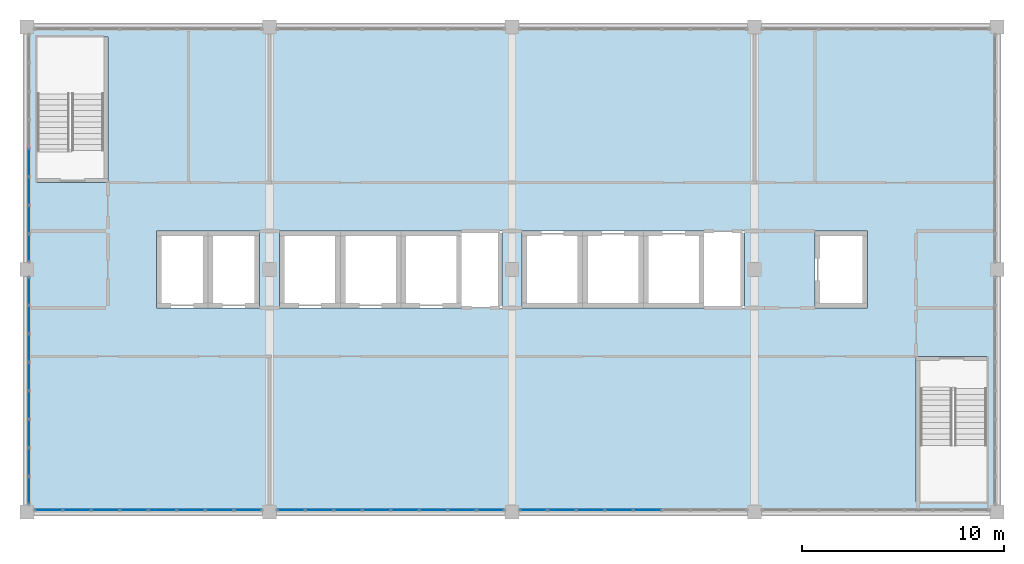
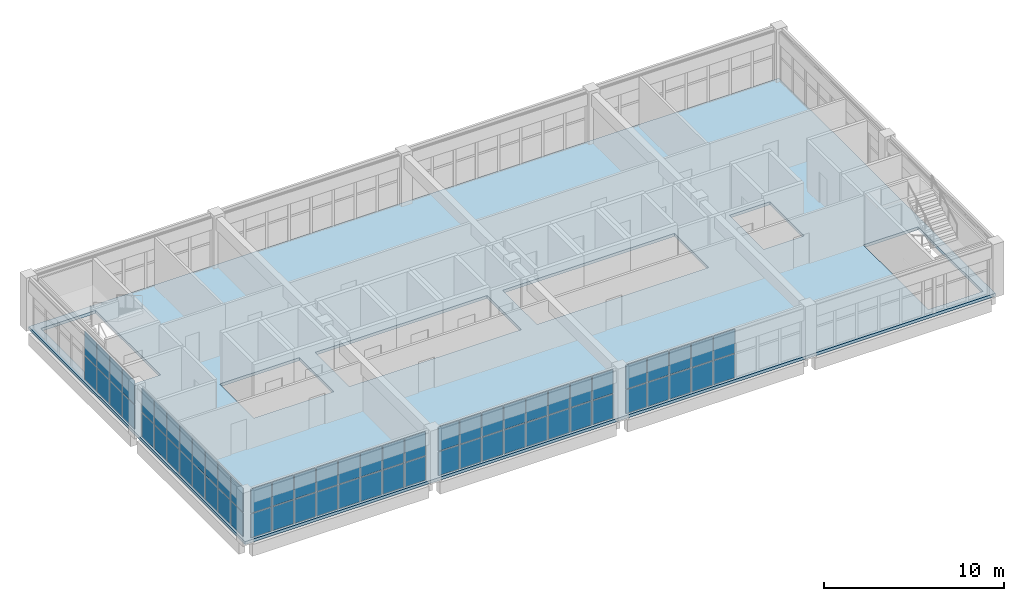
# One storey, part 10 of 16: 66 plates, 1 slab, 5 elements without a shape of their own.
"""IFC4 building model written with IfcOpenShell, lengths in metres."""

from ifc_helpers import new_model, si_unit, direction, frame, origin, origin_2d, place, context, subcontext, project, spatial, polyline, rectangle, outline, extrude, material, layer, layer_set, type_object, element, aggregate, save


model = new_model("IFC4")

# Units and contexts
model_context = context("Model", 3, precision=1e-05, world=origin(), true_north=direction((0.0, 1.0)))
body_context = subcontext(model_context, "Body", "Model", "MODEL_VIEW")
ifc_project = project(units=[si_unit("LENGTHUNIT", "METRE"), si_unit("AREAUNIT", "SQUARE_METRE"), si_unit("VOLUMEUNIT", "CUBIC_METRE"), si_unit("PLANEANGLEUNIT", "RADIAN"), si_unit("MASSUNIT", "GRAM", prefix="KILO")], contexts=[model_context])

# Site, building, storey
site_placement = place(None, origin())
site = spatial("IfcSite", under=ifc_project, at=site_placement, CompositionType="ELEMENT")
building_placement = place(site_placement, origin())
building = spatial("IfcBuilding", under=site, at=building_placement, Name="Lilac Gate Convention Centre", CompositionType="ELEMENT")
storey_placement = place(building_placement, frame((0.0, 0.0, 67.800048828125)))
storey = spatial("IfcBuildingStorey", under=building, at=storey_placement, Name="L17", CompositionType="ELEMENT", Elevation=67.800048828125)

# Curtain wall, plates
ifc_material_1 = material(Name="Aluminium framed double glazing", Category="aluminium")
ifc_layer_1 = layer(ifc_material_1, 0.199951171875)
ifc_layer_set_1 = layer_set([ifc_layer_1], Name="Aluminium framed double glazing")
curtain_wall_type = type_object("IfcCurtainWallType", Name="Unitised curtain wall 1500", PredefinedType="NOTDEFINED", material=ifc_layer_set_1)
curtain_wall_1_placement = place(storey_placement, origin())
curtain_wall_1 = element("IfcCurtainWall", 1, at=curtain_wall_1_placement, inside=storey, type_object=curtain_wall_type, Name="Curtain wall S L17 1", PredefinedType="NOTDEFINED")
ifc_material_2 = material(Name="Double glazed unit low emissivity")
ifc_layer_2 = layer(ifc_material_2, 0.028076171875)
ifc_layer_set_2 = layer_set([ifc_layer_2], Name="Double glazed unit low emissivity")
plate_type_1 = type_object("IfcPlateType", Name="Curtain wall glass panel 28", PredefinedType="CURTAIN_PANEL", material=ifc_layer_set_2)
plate_1_placement = place(storey_placement, frame((43.0712890625, 222.10009765625, 1.72998046875), z_axis=(0.0, 0.0, 1.0), x_axis=(1.0, 0.0, 0.0)))
plate_1 = element("IfcPlate", 2, at=plate_1_placement, type_object=plate_type_1, Name="CW panel 1.2", PredefinedType="CURTAIN_PANEL", context=body_context, shape_type="SweptSolid", body=[
    extrude(rectangle(XDim=1.322509765625, YDim=0.028076171875, at=origin_2d()), origin(), (0.0, 0.0, 1.0), 1.60986328125),
])
plate_2_placement = place(storey_placement, frame((44.46875, 222.10009765625, 1.72998046875), z_axis=(0.0, 0.0, 1.0), x_axis=(1.0, 0.0, 0.0)))
plate_2 = element("IfcPlate", 3, at=plate_2_placement, type_object=plate_type_1, Name="CW panel 2.2", PredefinedType="CURTAIN_PANEL", context=body_context, shape_type="SweptSolid", body=[
    extrude(rectangle(XDim=1.3525390625, YDim=0.028076171875, at=origin_2d()), origin(), (0.0, 0.0, 1.0), 1.60986328125),
])
plate_3_placement = place(storey_placement, frame((45.88134765625, 222.10009765625, 1.72998046875), z_axis=(0.0, 0.0, 1.0), x_axis=(1.0, 0.0, 0.0)))
plate_3 = element("IfcPlate", 4, at=plate_3_placement, type_object=plate_type_1, Name="CW panel 3.2", PredefinedType="CURTAIN_PANEL", context=body_context, shape_type="SweptSolid", body=[
    extrude(rectangle(XDim=1.3525390625, YDim=0.028076171875, at=origin_2d()), origin(), (0.0, 0.0, 1.0), 1.60986328125),
])
plate_4_placement = place(storey_placement, frame((47.293701171875, 222.10009765625, 1.72998046875), z_axis=(0.0, 0.0, 1.0), x_axis=(1.0, 0.0, 0.0)))
plate_4 = element("IfcPlate", 5, at=plate_4_placement, type_object=plate_type_1, Name="CW panel 4.2", PredefinedType="CURTAIN_PANEL", context=body_context, shape_type="SweptSolid", body=[
    extrude(rectangle(XDim=1.3525390625, YDim=0.028076171875, at=origin_2d()), origin(), (0.0, 0.0, 1.0), 1.60986328125),
])
plate_5_placement = place(storey_placement, frame((48.706298828125, 222.10009765625, 1.72998046875), z_axis=(0.0, 0.0, 1.0), x_axis=(1.0, 0.0, 0.0)))
plate_5 = element("IfcPlate", 6, at=plate_5_placement, type_object=plate_type_1, Name="CW panel 5.2", PredefinedType="CURTAIN_PANEL", context=body_context, shape_type="SweptSolid", body=[
    extrude(rectangle(XDim=1.3525390625, YDim=0.028076171875, at=origin_2d()), origin(), (0.0, 0.0, 1.0), 1.60986328125),
])
plate_6_placement = place(storey_placement, frame((50.11865234375, 222.10009765625, 1.72998046875), z_axis=(0.0, 0.0, 1.0), x_axis=(1.0, 0.0, 0.0)))
plate_6 = element("IfcPlate", 7, at=plate_6_placement, type_object=plate_type_1, Name="CW panel 6.2", PredefinedType="CURTAIN_PANEL", context=body_context, shape_type="SweptSolid", body=[
    extrude(rectangle(XDim=1.3525390625, YDim=0.028076171875, at=origin_2d()), origin(), (0.0, 0.0, 1.0), 1.60986328125),
])
plate_7_placement = place(storey_placement, frame((51.53125, 222.10009765625, 1.72998046875), z_axis=(0.0, 0.0, 1.0), x_axis=(1.0, 0.0, 0.0)))
plate_7 = element("IfcPlate", 8, at=plate_7_placement, type_object=plate_type_1, Name="CW panel 7.2", PredefinedType="CURTAIN_PANEL", context=body_context, shape_type="SweptSolid", body=[
    extrude(rectangle(XDim=1.3525390625, YDim=0.028076171875, at=origin_2d()), origin(), (0.0, 0.0, 1.0), 1.60986328125),
])
plate_8_placement = place(storey_placement, frame((52.9287109375, 222.10009765625, 1.72998046875), z_axis=(0.0, 0.0, 1.0), x_axis=(1.0, 0.0, 0.0)))
plate_8 = element("IfcPlate", 9, at=plate_8_placement, type_object=plate_type_1, Name="CW panel 8.2", PredefinedType="CURTAIN_PANEL", context=body_context, shape_type="SweptSolid", body=[
    extrude(rectangle(XDim=1.322509765625, YDim=0.028076171875, at=origin_2d()), origin(), (0.0, 0.0, 1.0), 1.60986328125),
])

curtain_wall_2_placement = place(storey_placement, origin())
curtain_wall_2 = element("IfcCurtainWall", 10, at=curtain_wall_2_placement, inside=storey, type_object=curtain_wall_type, Name="Curtain wall S L17 2", PredefinedType="NOTDEFINED")
plate_9_placement = place(storey_placement, frame((55.0712890625, 222.10009765625, 1.72998046875), z_axis=(0.0, 0.0, 1.0), x_axis=(1.0, 0.0, 0.0)))
plate_9 = element("IfcPlate", 11, at=plate_9_placement, type_object=plate_type_1, Name="CW panel 1.2", PredefinedType="CURTAIN_PANEL", context=body_context, shape_type="SweptSolid", body=[
    extrude(rectangle(XDim=1.322509765625, YDim=0.028076171875, at=origin_2d()), origin(), (0.0, 0.0, 1.0), 1.60986328125),
])
plate_10_placement = place(storey_placement, frame((56.46875, 222.10009765625, 1.72998046875), z_axis=(0.0, 0.0, 1.0), x_axis=(1.0, 0.0, 0.0)))
plate_10 = element("IfcPlate", 12, at=plate_10_placement, type_object=plate_type_1, Name="CW panel 2.2", PredefinedType="CURTAIN_PANEL", context=body_context, shape_type="SweptSolid", body=[
    extrude(rectangle(XDim=1.3525390625, YDim=0.028076171875, at=origin_2d()), origin(), (0.0, 0.0, 1.0), 1.60986328125),
])
plate_11_placement = place(storey_placement, frame((57.88134765625, 222.10009765625, 1.72998046875), z_axis=(0.0, 0.0, 1.0), x_axis=(1.0, 0.0, 0.0)))
plate_11 = element("IfcPlate", 13, at=plate_11_placement, type_object=plate_type_1, Name="CW panel 3.2", PredefinedType="CURTAIN_PANEL", context=body_context, shape_type="SweptSolid", body=[
    extrude(rectangle(XDim=1.3525390625, YDim=0.028076171875, at=origin_2d()), origin(), (0.0, 0.0, 1.0), 1.60986328125),
])
plate_12_placement = place(storey_placement, frame((59.293701171875, 222.10009765625, 1.72998046875), z_axis=(0.0, 0.0, 1.0), x_axis=(1.0, 0.0, 0.0)))
plate_12 = element("IfcPlate", 14, at=plate_12_placement, type_object=plate_type_1, Name="CW panel 4.2", PredefinedType="CURTAIN_PANEL", context=body_context, shape_type="SweptSolid", body=[
    extrude(rectangle(XDim=1.3525390625, YDim=0.028076171875, at=origin_2d()), origin(), (0.0, 0.0, 1.0), 1.60986328125),
])
plate_13_placement = place(storey_placement, frame((60.706298828125, 222.10009765625, 1.72998046875), z_axis=(0.0, 0.0, 1.0), x_axis=(1.0, 0.0, 0.0)))
plate_13 = element("IfcPlate", 15, at=plate_13_placement, type_object=plate_type_1, Name="CW panel 5.2", PredefinedType="CURTAIN_PANEL", context=body_context, shape_type="SweptSolid", body=[
    extrude(rectangle(XDim=1.3525390625, YDim=0.028076171875, at=origin_2d()), origin(), (0.0, 0.0, 1.0), 1.60986328125),
])
plate_14_placement = place(storey_placement, frame((62.11865234375, 222.10009765625, 1.72998046875), z_axis=(0.0, 0.0, 1.0), x_axis=(1.0, 0.0, 0.0)))
plate_14 = element("IfcPlate", 16, at=plate_14_placement, type_object=plate_type_1, Name="CW panel 6.2", PredefinedType="CURTAIN_PANEL", context=body_context, shape_type="SweptSolid", body=[
    extrude(rectangle(XDim=1.3525390625, YDim=0.028076171875, at=origin_2d()), origin(), (0.0, 0.0, 1.0), 1.60986328125),
])
plate_15_placement = place(storey_placement, frame((63.53125, 222.10009765625, 1.72998046875), z_axis=(0.0, 0.0, 1.0), x_axis=(1.0, 0.0, 0.0)))
plate_15 = element("IfcPlate", 17, at=plate_15_placement, type_object=plate_type_1, Name="CW panel 7.2", PredefinedType="CURTAIN_PANEL", context=body_context, shape_type="SweptSolid", body=[
    extrude(rectangle(XDim=1.3525390625, YDim=0.028076171875, at=origin_2d()), origin(), (0.0, 0.0, 1.0), 1.60986328125),
])
plate_16_placement = place(storey_placement, frame((64.9287109375, 222.10009765625, 1.72998046875), z_axis=(0.0, 0.0, 1.0), x_axis=(1.0, 0.0, 0.0)))
plate_16 = element("IfcPlate", 18, at=plate_16_placement, type_object=plate_type_1, Name="CW panel 8.2", PredefinedType="CURTAIN_PANEL", context=body_context, shape_type="SweptSolid", body=[
    extrude(rectangle(XDim=1.322509765625, YDim=0.028076171875, at=origin_2d()), origin(), (0.0, 0.0, 1.0), 1.60986328125),
])

curtain_wall_3_placement = place(storey_placement, origin())
curtain_wall_3 = element("IfcCurtainWall", 19, at=curtain_wall_3_placement, inside=storey, type_object=curtain_wall_type, Name="Curtain wall S L17 3", PredefinedType="NOTDEFINED")
plate_17_placement = place(storey_placement, frame((67.0712890625, 222.10009765625, 1.72998046875), z_axis=(0.0, 0.0, 1.0), x_axis=(1.0, 0.0, 0.0)))
plate_17 = element("IfcPlate", 20, at=plate_17_placement, type_object=plate_type_1, Name="CW panel 1.2", PredefinedType="CURTAIN_PANEL", context=body_context, shape_type="SweptSolid", body=[
    extrude(rectangle(XDim=1.322509765625, YDim=0.028076171875, at=origin_2d()), origin(), (0.0, 0.0, 1.0), 1.60986328125),
])
plate_18_placement = place(storey_placement, frame((68.46875, 222.10009765625, 1.72998046875), z_axis=(0.0, 0.0, 1.0), x_axis=(1.0, 0.0, 0.0)))
plate_18 = element("IfcPlate", 21, at=plate_18_placement, type_object=plate_type_1, Name="CW panel 2.2", PredefinedType="CURTAIN_PANEL", context=body_context, shape_type="SweptSolid", body=[
    extrude(rectangle(XDim=1.3525390625, YDim=0.028076171875, at=origin_2d()), origin(), (0.0, 0.0, 1.0), 1.60986328125),
])
plate_19_placement = place(storey_placement, frame((69.88134765625, 222.10009765625, 1.72998046875), z_axis=(0.0, 0.0, 1.0), x_axis=(1.0, 0.0, 0.0)))
plate_19 = element("IfcPlate", 22, at=plate_19_placement, type_object=plate_type_1, Name="CW panel 3.2", PredefinedType="CURTAIN_PANEL", context=body_context, shape_type="SweptSolid", body=[
    extrude(rectangle(XDim=1.3525390625, YDim=0.028076171875, at=origin_2d()), origin(), (0.0, 0.0, 1.0), 1.60986328125),
])
plate_20_placement = place(storey_placement, frame((71.293701171875, 222.10009765625, 1.72998046875), z_axis=(0.0, 0.0, 1.0), x_axis=(1.0, 0.0, 0.0)))
plate_20 = element("IfcPlate", 23, at=plate_20_placement, type_object=plate_type_1, Name="CW panel 4.2", PredefinedType="CURTAIN_PANEL", context=body_context, shape_type="SweptSolid", body=[
    extrude(rectangle(XDim=1.3525390625, YDim=0.028076171875, at=origin_2d()), origin(), (0.0, 0.0, 1.0), 1.60986328125),
])
plate_21_placement = place(storey_placement, frame((72.706298828125, 222.10009765625, 1.72998046875), z_axis=(0.0, 0.0, 1.0), x_axis=(1.0, 0.0, 0.0)))
plate_21 = element("IfcPlate", 24, at=plate_21_placement, type_object=plate_type_1, Name="CW panel 5.2", PredefinedType="CURTAIN_PANEL", context=body_context, shape_type="SweptSolid", body=[
    extrude(rectangle(XDim=1.3525390625, YDim=0.028076171875, at=origin_2d()), origin(), (0.0, 0.0, 1.0), 1.60986328125),
])

curtain_wall_4_placement = place(storey_placement, origin())
curtain_wall_4 = element("IfcCurtainWall", 25, at=curtain_wall_4_placement, inside=storey, type_object=curtain_wall_type, Name="Curtain wall W L17 1", PredefinedType="NOTDEFINED")
plate_22_placement = place(storey_placement, frame((42.10009765625, 239.293701171875, 1.72998046875), z_axis=(0.0, 0.0, 1.0), x_axis=(0.0, -1.0, 0.0)))
plate_22 = element("IfcPlate", 26, at=plate_22_placement, type_object=plate_type_1, Name="CW panel 5.2", PredefinedType="CURTAIN_PANEL", context=body_context, shape_type="SweptSolid", body=[
    extrude(rectangle(XDim=1.3525390625, YDim=0.028076171875, at=origin_2d()), origin(), (0.0, 0.0, 1.0), 1.60986328125),
])
plate_23_placement = place(storey_placement, frame((42.10009765625, 237.88134765625, 1.72998046875), z_axis=(0.0, 0.0, 1.0), x_axis=(0.0, -1.0, 0.0)))
plate_23 = element("IfcPlate", 27, at=plate_23_placement, type_object=plate_type_1, Name="CW panel 6.2", PredefinedType="CURTAIN_PANEL", context=body_context, shape_type="SweptSolid", body=[
    extrude(rectangle(XDim=1.3525390625, YDim=0.028076171875, at=origin_2d()), origin(), (0.0, 0.0, 1.0), 1.60986328125),
])
plate_24_placement = place(storey_placement, frame((42.10009765625, 236.46875, 1.72998046875), z_axis=(0.0, 0.0, 1.0), x_axis=(0.0, -1.0, 0.0)))
plate_24 = element("IfcPlate", 28, at=plate_24_placement, type_object=plate_type_1, Name="CW panel 7.2", PredefinedType="CURTAIN_PANEL", context=body_context, shape_type="SweptSolid", body=[
    extrude(rectangle(XDim=1.3525390625, YDim=0.028076171875, at=origin_2d()), origin(), (0.0, 0.0, 1.0), 1.60986328125),
])
plate_25_placement = place(storey_placement, frame((42.10009765625, 235.0712890625, 1.72998046875), z_axis=(0.0, 0.0, 1.0), x_axis=(0.0, -1.0, 0.0)))
plate_25 = element("IfcPlate", 29, at=plate_25_placement, type_object=plate_type_1, Name="CW panel 8.2", PredefinedType="CURTAIN_PANEL", context=body_context, shape_type="SweptSolid", body=[
    extrude(rectangle(XDim=1.322509765625, YDim=0.028076171875, at=origin_2d()), origin(), (0.0, 0.0, 1.0), 1.60986328125),
])

curtain_wall_5_placement = place(storey_placement, origin())
curtain_wall_5 = element("IfcCurtainWall", 30, at=curtain_wall_5_placement, inside=storey, type_object=curtain_wall_type, Name="Curtain wall W L17 2", PredefinedType="NOTDEFINED")
plate_26_placement = place(storey_placement, frame((42.10009765625, 232.9287109375, 1.72998046875), z_axis=(0.0, 0.0, 1.0), x_axis=(0.0, -1.0, 0.0)))
plate_26 = element("IfcPlate", 31, at=plate_26_placement, type_object=plate_type_1, Name="CW panel 1.2", PredefinedType="CURTAIN_PANEL", context=body_context, shape_type="SweptSolid", body=[
    extrude(rectangle(XDim=1.322509765625, YDim=0.028076171875, at=origin_2d()), origin(), (0.0, 0.0, 1.0), 1.60986328125),
])
plate_27_placement = place(storey_placement, frame((42.10009765625, 231.53125, 1.72998046875), z_axis=(0.0, 0.0, 1.0), x_axis=(0.0, -1.0, 0.0)))
plate_27 = element("IfcPlate", 32, at=plate_27_placement, type_object=plate_type_1, Name="CW panel 2.2", PredefinedType="CURTAIN_PANEL", context=body_context, shape_type="SweptSolid", body=[
    extrude(rectangle(XDim=1.3525390625, YDim=0.028076171875, at=origin_2d()), origin(), (0.0, 0.0, 1.0), 1.60986328125),
])
plate_28_placement = place(storey_placement, frame((42.10009765625, 230.11865234375, 1.72998046875), z_axis=(0.0, 0.0, 1.0), x_axis=(0.0, -1.0, 0.0)))
plate_28 = element("IfcPlate", 33, at=plate_28_placement, type_object=plate_type_1, Name="CW panel 3.2", PredefinedType="CURTAIN_PANEL", context=body_context, shape_type="SweptSolid", body=[
    extrude(rectangle(XDim=1.3525390625, YDim=0.028076171875, at=origin_2d()), origin(), (0.0, 0.0, 1.0), 1.60986328125),
])
plate_29_placement = place(storey_placement, frame((42.10009765625, 228.706298828125, 1.72998046875), z_axis=(0.0, 0.0, 1.0), x_axis=(0.0, -1.0, 0.0)))
plate_29 = element("IfcPlate", 34, at=plate_29_placement, type_object=plate_type_1, Name="CW panel 4.2", PredefinedType="CURTAIN_PANEL", context=body_context, shape_type="SweptSolid", body=[
    extrude(rectangle(XDim=1.3525390625, YDim=0.028076171875, at=origin_2d()), origin(), (0.0, 0.0, 1.0), 1.60986328125),
])
plate_30_placement = place(storey_placement, frame((42.10009765625, 227.293701171875, 1.72998046875), z_axis=(0.0, 0.0, 1.0), x_axis=(0.0, -1.0, 0.0)))
plate_30 = element("IfcPlate", 35, at=plate_30_placement, type_object=plate_type_1, Name="CW panel 5.2", PredefinedType="CURTAIN_PANEL", context=body_context, shape_type="SweptSolid", body=[
    extrude(rectangle(XDim=1.3525390625, YDim=0.028076171875, at=origin_2d()), origin(), (0.0, 0.0, 1.0), 1.60986328125),
])
plate_31_placement = place(storey_placement, frame((42.10009765625, 225.88134765625, 1.72998046875), z_axis=(0.0, 0.0, 1.0), x_axis=(0.0, -1.0, 0.0)))
plate_31 = element("IfcPlate", 36, at=plate_31_placement, type_object=plate_type_1, Name="CW panel 6.2", PredefinedType="CURTAIN_PANEL", context=body_context, shape_type="SweptSolid", body=[
    extrude(rectangle(XDim=1.3525390625, YDim=0.028076171875, at=origin_2d()), origin(), (0.0, 0.0, 1.0), 1.60986328125),
])
plate_32_placement = place(storey_placement, frame((42.10009765625, 224.46875, 1.72998046875), z_axis=(0.0, 0.0, 1.0), x_axis=(0.0, -1.0, 0.0)))
plate_32 = element("IfcPlate", 37, at=plate_32_placement, type_object=plate_type_1, Name="CW panel 7.2", PredefinedType="CURTAIN_PANEL", context=body_context, shape_type="SweptSolid", body=[
    extrude(rectangle(XDim=1.3525390625, YDim=0.028076171875, at=origin_2d()), origin(), (0.0, 0.0, 1.0), 1.60986328125),
])
plate_33_placement = place(storey_placement, frame((42.10009765625, 223.0712890625, 1.72998046875), z_axis=(0.0, 0.0, 1.0), x_axis=(0.0, -1.0, 0.0)))
plate_33 = element("IfcPlate", 38, at=plate_33_placement, type_object=plate_type_1, Name="CW panel 8.2", PredefinedType="CURTAIN_PANEL", context=body_context, shape_type="SweptSolid", body=[
    extrude(rectangle(XDim=1.322509765625, YDim=0.028076171875, at=origin_2d()), origin(), (0.0, 0.0, 1.0), 1.60986328125),
])

# Plate
ifc_material_3 = material(Name="Insulated aluminium spandrel panel", Category="aluminium")
ifc_layer_3 = layer(ifc_material_3, 0.028076171875)
ifc_layer_set_3 = layer_set([ifc_layer_3], Name="Insulated aluminium spandrel panel")
plate_type_2 = type_object("IfcPlateType", Name="Curtain wall spandrel panel 28", PredefinedType="CURTAIN_PANEL", material=ifc_layer_set_3)
plate_34_placement = place(storey_placement, frame((43.0712890625, 222.10009765625, 0.06005859375), z_axis=(0.0, 0.0, 1.0), x_axis=(1.0, 0.0, 0.0)))
plate_34 = element("IfcPlate", 39, at=plate_34_placement, type_object=plate_type_2, Name="CW spandrel 1.1", PredefinedType="CURTAIN_PANEL", context=body_context, shape_type="SweptSolid", body=[
    extrude(rectangle(XDim=1.322509765625, YDim=0.028076171875, at=origin_2d()), origin(), (0.0, 0.0, 1.0), 1.60986328125),
])

plate_35_placement = place(storey_placement, frame((44.46875, 222.10009765625, 0.06005859375), z_axis=(0.0, 0.0, 1.0), x_axis=(1.0, 0.0, 0.0)))
plate_35 = element("IfcPlate", 40, at=plate_35_placement, type_object=plate_type_2, Name="CW spandrel 2.1", PredefinedType="CURTAIN_PANEL", context=body_context, shape_type="SweptSolid", body=[
    extrude(rectangle(XDim=1.3525390625, YDim=0.028076171875, at=origin_2d()), origin(), (0.0, 0.0, 1.0), 1.60986328125),
])

plate_36_placement = place(storey_placement, frame((45.88134765625, 222.10009765625, 0.06005859375), z_axis=(0.0, 0.0, 1.0), x_axis=(1.0, 0.0, 0.0)))
plate_36 = element("IfcPlate", 41, at=plate_36_placement, type_object=plate_type_2, Name="CW spandrel 3.1", PredefinedType="CURTAIN_PANEL", context=body_context, shape_type="SweptSolid", body=[
    extrude(rectangle(XDim=1.3525390625, YDim=0.028076171875, at=origin_2d()), origin(), (0.0, 0.0, 1.0), 1.60986328125),
])

plate_37_placement = place(storey_placement, frame((47.293701171875, 222.10009765625, 0.06005859375), z_axis=(0.0, 0.0, 1.0), x_axis=(1.0, 0.0, 0.0)))
plate_37 = element("IfcPlate", 42, at=plate_37_placement, type_object=plate_type_2, Name="CW spandrel 4.1", PredefinedType="CURTAIN_PANEL", context=body_context, shape_type="SweptSolid", body=[
    extrude(rectangle(XDim=1.3525390625, YDim=0.028076171875, at=origin_2d()), origin(), (0.0, 0.0, 1.0), 1.60986328125),
])

plate_38_placement = place(storey_placement, frame((48.706298828125, 222.10009765625, 0.06005859375), z_axis=(0.0, 0.0, 1.0), x_axis=(1.0, 0.0, 0.0)))
plate_38 = element("IfcPlate", 43, at=plate_38_placement, type_object=plate_type_2, Name="CW spandrel 5.1", PredefinedType="CURTAIN_PANEL", context=body_context, shape_type="SweptSolid", body=[
    extrude(rectangle(XDim=1.3525390625, YDim=0.028076171875, at=origin_2d()), origin(), (0.0, 0.0, 1.0), 1.60986328125),
])

plate_39_placement = place(storey_placement, frame((50.11865234375, 222.10009765625, 0.06005859375), z_axis=(0.0, 0.0, 1.0), x_axis=(1.0, 0.0, 0.0)))
plate_39 = element("IfcPlate", 44, at=plate_39_placement, type_object=plate_type_2, Name="CW spandrel 6.1", PredefinedType="CURTAIN_PANEL", context=body_context, shape_type="SweptSolid", body=[
    extrude(rectangle(XDim=1.3525390625, YDim=0.028076171875, at=origin_2d()), origin(), (0.0, 0.0, 1.0), 1.60986328125),
])

plate_40_placement = place(storey_placement, frame((51.53125, 222.10009765625, 0.06005859375), z_axis=(0.0, 0.0, 1.0), x_axis=(1.0, 0.0, 0.0)))
plate_40 = element("IfcPlate", 45, at=plate_40_placement, type_object=plate_type_2, Name="CW spandrel 7.1", PredefinedType="CURTAIN_PANEL", context=body_context, shape_type="SweptSolid", body=[
    extrude(rectangle(XDim=1.3525390625, YDim=0.028076171875, at=origin_2d()), origin(), (0.0, 0.0, 1.0), 1.60986328125),
])

plate_41_placement = place(storey_placement, frame((52.9287109375, 222.10009765625, 0.06005859375), z_axis=(0.0, 0.0, 1.0), x_axis=(1.0, 0.0, 0.0)))
plate_41 = element("IfcPlate", 46, at=plate_41_placement, type_object=plate_type_2, Name="CW spandrel 8.1", PredefinedType="CURTAIN_PANEL", context=body_context, shape_type="SweptSolid", body=[
    extrude(rectangle(XDim=1.322509765625, YDim=0.028076171875, at=origin_2d()), origin(), (0.0, 0.0, 1.0), 1.60986328125),
])

aggregate(curtain_wall_1, [plate_34, plate_1, plate_35, plate_2, plate_36, plate_3, plate_37, plate_4, plate_38, plate_5, plate_39, plate_6, plate_40, plate_7, plate_41, plate_8])

plate_42_placement = place(storey_placement, frame((55.0712890625, 222.10009765625, 0.06005859375), z_axis=(0.0, 0.0, 1.0), x_axis=(1.0, 0.0, 0.0)))
plate_42 = element("IfcPlate", 47, at=plate_42_placement, type_object=plate_type_2, Name="CW spandrel 1.1", PredefinedType="CURTAIN_PANEL", context=body_context, shape_type="SweptSolid", body=[
    extrude(rectangle(XDim=1.322509765625, YDim=0.028076171875, at=origin_2d()), origin(), (0.0, 0.0, 1.0), 1.60986328125),
])

plate_43_placement = place(storey_placement, frame((56.46875, 222.10009765625, 0.06005859375), z_axis=(0.0, 0.0, 1.0), x_axis=(1.0, 0.0, 0.0)))
plate_43 = element("IfcPlate", 48, at=plate_43_placement, type_object=plate_type_2, Name="CW spandrel 2.1", PredefinedType="CURTAIN_PANEL", context=body_context, shape_type="SweptSolid", body=[
    extrude(rectangle(XDim=1.3525390625, YDim=0.028076171875, at=origin_2d()), origin(), (0.0, 0.0, 1.0), 1.60986328125),
])

plate_44_placement = place(storey_placement, frame((57.88134765625, 222.10009765625, 0.06005859375), z_axis=(0.0, 0.0, 1.0), x_axis=(1.0, 0.0, 0.0)))
plate_44 = element("IfcPlate", 49, at=plate_44_placement, type_object=plate_type_2, Name="CW spandrel 3.1", PredefinedType="CURTAIN_PANEL", context=body_context, shape_type="SweptSolid", body=[
    extrude(rectangle(XDim=1.3525390625, YDim=0.028076171875, at=origin_2d()), origin(), (0.0, 0.0, 1.0), 1.60986328125),
])

plate_45_placement = place(storey_placement, frame((59.293701171875, 222.10009765625, 0.06005859375), z_axis=(0.0, 0.0, 1.0), x_axis=(1.0, 0.0, 0.0)))
plate_45 = element("IfcPlate", 50, at=plate_45_placement, type_object=plate_type_2, Name="CW spandrel 4.1", PredefinedType="CURTAIN_PANEL", context=body_context, shape_type="SweptSolid", body=[
    extrude(rectangle(XDim=1.3525390625, YDim=0.028076171875, at=origin_2d()), origin(), (0.0, 0.0, 1.0), 1.60986328125),
])

plate_46_placement = place(storey_placement, frame((60.706298828125, 222.10009765625, 0.06005859375), z_axis=(0.0, 0.0, 1.0), x_axis=(1.0, 0.0, 0.0)))
plate_46 = element("IfcPlate", 51, at=plate_46_placement, type_object=plate_type_2, Name="CW spandrel 5.1", PredefinedType="CURTAIN_PANEL", context=body_context, shape_type="SweptSolid", body=[
    extrude(rectangle(XDim=1.3525390625, YDim=0.028076171875, at=origin_2d()), origin(), (0.0, 0.0, 1.0), 1.60986328125),
])

plate_47_placement = place(storey_placement, frame((62.11865234375, 222.10009765625, 0.06005859375), z_axis=(0.0, 0.0, 1.0), x_axis=(1.0, 0.0, 0.0)))
plate_47 = element("IfcPlate", 52, at=plate_47_placement, type_object=plate_type_2, Name="CW spandrel 6.1", PredefinedType="CURTAIN_PANEL", context=body_context, shape_type="SweptSolid", body=[
    extrude(rectangle(XDim=1.3525390625, YDim=0.028076171875, at=origin_2d()), origin(), (0.0, 0.0, 1.0), 1.60986328125),
])

plate_48_placement = place(storey_placement, frame((63.53125, 222.10009765625, 0.06005859375), z_axis=(0.0, 0.0, 1.0), x_axis=(1.0, 0.0, 0.0)))
plate_48 = element("IfcPlate", 53, at=plate_48_placement, type_object=plate_type_2, Name="CW spandrel 7.1", PredefinedType="CURTAIN_PANEL", context=body_context, shape_type="SweptSolid", body=[
    extrude(rectangle(XDim=1.3525390625, YDim=0.028076171875, at=origin_2d()), origin(), (0.0, 0.0, 1.0), 1.60986328125),
])

plate_49_placement = place(storey_placement, frame((64.9287109375, 222.10009765625, 0.06005859375), z_axis=(0.0, 0.0, 1.0), x_axis=(1.0, 0.0, 0.0)))
plate_49 = element("IfcPlate", 54, at=plate_49_placement, type_object=plate_type_2, Name="CW spandrel 8.1", PredefinedType="CURTAIN_PANEL", context=body_context, shape_type="SweptSolid", body=[
    extrude(rectangle(XDim=1.322509765625, YDim=0.028076171875, at=origin_2d()), origin(), (0.0, 0.0, 1.0), 1.60986328125),
])

aggregate(curtain_wall_2, [plate_42, plate_9, plate_43, plate_10, plate_44, plate_11, plate_45, plate_12, plate_46, plate_13, plate_47, plate_14, plate_48, plate_15, plate_49, plate_16])

plate_50_placement = place(storey_placement, frame((67.0712890625, 222.10009765625, 0.06005859375), z_axis=(0.0, 0.0, 1.0), x_axis=(1.0, 0.0, 0.0)))
plate_50 = element("IfcPlate", 55, at=plate_50_placement, type_object=plate_type_2, Name="CW spandrel 1.1", PredefinedType="CURTAIN_PANEL", context=body_context, shape_type="SweptSolid", body=[
    extrude(rectangle(XDim=1.322509765625, YDim=0.028076171875, at=origin_2d()), origin(), (0.0, 0.0, 1.0), 1.60986328125),
])

plate_51_placement = place(storey_placement, frame((68.46875, 222.10009765625, 0.06005859375), z_axis=(0.0, 0.0, 1.0), x_axis=(1.0, 0.0, 0.0)))
plate_51 = element("IfcPlate", 56, at=plate_51_placement, type_object=plate_type_2, Name="CW spandrel 2.1", PredefinedType="CURTAIN_PANEL", context=body_context, shape_type="SweptSolid", body=[
    extrude(rectangle(XDim=1.3525390625, YDim=0.028076171875, at=origin_2d()), origin(), (0.0, 0.0, 1.0), 1.60986328125),
])

plate_52_placement = place(storey_placement, frame((69.88134765625, 222.10009765625, 0.06005859375), z_axis=(0.0, 0.0, 1.0), x_axis=(1.0, 0.0, 0.0)))
plate_52 = element("IfcPlate", 57, at=plate_52_placement, type_object=plate_type_2, Name="CW spandrel 3.1", PredefinedType="CURTAIN_PANEL", context=body_context, shape_type="SweptSolid", body=[
    extrude(rectangle(XDim=1.3525390625, YDim=0.028076171875, at=origin_2d()), origin(), (0.0, 0.0, 1.0), 1.60986328125),
])

plate_53_placement = place(storey_placement, frame((71.293701171875, 222.10009765625, 0.06005859375), z_axis=(0.0, 0.0, 1.0), x_axis=(1.0, 0.0, 0.0)))
plate_53 = element("IfcPlate", 58, at=plate_53_placement, type_object=plate_type_2, Name="CW spandrel 4.1", PredefinedType="CURTAIN_PANEL", context=body_context, shape_type="SweptSolid", body=[
    extrude(rectangle(XDim=1.3525390625, YDim=0.028076171875, at=origin_2d()), origin(), (0.0, 0.0, 1.0), 1.60986328125),
])

plate_54_placement = place(storey_placement, frame((72.706298828125, 222.10009765625, 0.06005859375), z_axis=(0.0, 0.0, 1.0), x_axis=(1.0, 0.0, 0.0)))
plate_54 = element("IfcPlate", 59, at=plate_54_placement, type_object=plate_type_2, Name="CW spandrel 5.1", PredefinedType="CURTAIN_PANEL", context=body_context, shape_type="SweptSolid", body=[
    extrude(rectangle(XDim=1.3525390625, YDim=0.028076171875, at=origin_2d()), origin(), (0.0, 0.0, 1.0), 1.60986328125),
])

aggregate(curtain_wall_3, [plate_50, plate_17, plate_51, plate_18, plate_52, plate_19, plate_53, plate_20, plate_54, plate_21])

plate_55_placement = place(storey_placement, frame((42.10009765625, 239.293701171875, 0.06005859375), z_axis=(0.0, 0.0, 1.0), x_axis=(0.0, -1.0, 0.0)))
plate_55 = element("IfcPlate", 60, at=plate_55_placement, type_object=plate_type_2, Name="CW spandrel 5.1", PredefinedType="CURTAIN_PANEL", context=body_context, shape_type="SweptSolid", body=[
    extrude(rectangle(XDim=1.3525390625, YDim=0.028076171875, at=origin_2d()), origin(), (0.0, 0.0, 1.0), 1.60986328125),
])

plate_56_placement = place(storey_placement, frame((42.10009765625, 237.88134765625, 0.06005859375), z_axis=(0.0, 0.0, 1.0), x_axis=(0.0, -1.0, 0.0)))
plate_56 = element("IfcPlate", 61, at=plate_56_placement, type_object=plate_type_2, Name="CW spandrel 6.1", PredefinedType="CURTAIN_PANEL", context=body_context, shape_type="SweptSolid", body=[
    extrude(rectangle(XDim=1.3525390625, YDim=0.028076171875, at=origin_2d()), origin(), (0.0, 0.0, 1.0), 1.60986328125),
])

plate_57_placement = place(storey_placement, frame((42.10009765625, 236.46875, 0.06005859375), z_axis=(0.0, 0.0, 1.0), x_axis=(0.0, -1.0, 0.0)))
plate_57 = element("IfcPlate", 62, at=plate_57_placement, type_object=plate_type_2, Name="CW spandrel 7.1", PredefinedType="CURTAIN_PANEL", context=body_context, shape_type="SweptSolid", body=[
    extrude(rectangle(XDim=1.3525390625, YDim=0.028076171875, at=origin_2d()), origin(), (0.0, 0.0, 1.0), 1.60986328125),
])

plate_58_placement = place(storey_placement, frame((42.10009765625, 235.0712890625, 0.06005859375), z_axis=(0.0, 0.0, 1.0), x_axis=(0.0, -1.0, 0.0)))
plate_58 = element("IfcPlate", 63, at=plate_58_placement, type_object=plate_type_2, Name="CW spandrel 8.1", PredefinedType="CURTAIN_PANEL", context=body_context, shape_type="SweptSolid", body=[
    extrude(rectangle(XDim=1.322509765625, YDim=0.028076171875, at=origin_2d()), origin(), (0.0, 0.0, 1.0), 1.60986328125),
])

aggregate(curtain_wall_4, [plate_55, plate_22, plate_56, plate_23, plate_57, plate_24, plate_58, plate_25])

plate_59_placement = place(storey_placement, frame((42.10009765625, 232.9287109375, 0.06005859375), z_axis=(0.0, 0.0, 1.0), x_axis=(0.0, -1.0, 0.0)))
plate_59 = element("IfcPlate", 64, at=plate_59_placement, type_object=plate_type_2, Name="CW spandrel 1.1", PredefinedType="CURTAIN_PANEL", context=body_context, shape_type="SweptSolid", body=[
    extrude(rectangle(XDim=1.322509765625, YDim=0.028076171875, at=origin_2d()), origin(), (0.0, 0.0, 1.0), 1.60986328125),
])

plate_60_placement = place(storey_placement, frame((42.10009765625, 231.53125, 0.06005859375), z_axis=(0.0, 0.0, 1.0), x_axis=(0.0, -1.0, 0.0)))
plate_60 = element("IfcPlate", 65, at=plate_60_placement, type_object=plate_type_2, Name="CW spandrel 2.1", PredefinedType="CURTAIN_PANEL", context=body_context, shape_type="SweptSolid", body=[
    extrude(rectangle(XDim=1.3525390625, YDim=0.028076171875, at=origin_2d()), origin(), (0.0, 0.0, 1.0), 1.60986328125),
])

plate_61_placement = place(storey_placement, frame((42.10009765625, 230.11865234375, 0.06005859375), z_axis=(0.0, 0.0, 1.0), x_axis=(0.0, -1.0, 0.0)))
plate_61 = element("IfcPlate", 66, at=plate_61_placement, type_object=plate_type_2, Name="CW spandrel 3.1", PredefinedType="CURTAIN_PANEL", context=body_context, shape_type="SweptSolid", body=[
    extrude(rectangle(XDim=1.3525390625, YDim=0.028076171875, at=origin_2d()), origin(), (0.0, 0.0, 1.0), 1.60986328125),
])

plate_62_placement = place(storey_placement, frame((42.10009765625, 228.706298828125, 0.06005859375), z_axis=(0.0, 0.0, 1.0), x_axis=(0.0, -1.0, 0.0)))
plate_62 = element("IfcPlate", 67, at=plate_62_placement, type_object=plate_type_2, Name="CW spandrel 4.1", PredefinedType="CURTAIN_PANEL", context=body_context, shape_type="SweptSolid", body=[
    extrude(rectangle(XDim=1.3525390625, YDim=0.028076171875, at=origin_2d()), origin(), (0.0, 0.0, 1.0), 1.60986328125),
])

plate_63_placement = place(storey_placement, frame((42.10009765625, 227.293701171875, 0.06005859375), z_axis=(0.0, 0.0, 1.0), x_axis=(0.0, -1.0, 0.0)))
plate_63 = element("IfcPlate", 68, at=plate_63_placement, type_object=plate_type_2, Name="CW spandrel 5.1", PredefinedType="CURTAIN_PANEL", context=body_context, shape_type="SweptSolid", body=[
    extrude(rectangle(XDim=1.3525390625, YDim=0.028076171875, at=origin_2d()), origin(), (0.0, 0.0, 1.0), 1.60986328125),
])

plate_64_placement = place(storey_placement, frame((42.10009765625, 225.88134765625, 0.06005859375), z_axis=(0.0, 0.0, 1.0), x_axis=(0.0, -1.0, 0.0)))
plate_64 = element("IfcPlate", 69, at=plate_64_placement, type_object=plate_type_2, Name="CW spandrel 6.1", PredefinedType="CURTAIN_PANEL", context=body_context, shape_type="SweptSolid", body=[
    extrude(rectangle(XDim=1.3525390625, YDim=0.028076171875, at=origin_2d()), origin(), (0.0, 0.0, 1.0), 1.60986328125),
])

plate_65_placement = place(storey_placement, frame((42.10009765625, 224.46875, 0.06005859375), z_axis=(0.0, 0.0, 1.0), x_axis=(0.0, -1.0, 0.0)))
plate_65 = element("IfcPlate", 70, at=plate_65_placement, type_object=plate_type_2, Name="CW spandrel 7.1", PredefinedType="CURTAIN_PANEL", context=body_context, shape_type="SweptSolid", body=[
    extrude(rectangle(XDim=1.3525390625, YDim=0.028076171875, at=origin_2d()), origin(), (0.0, 0.0, 1.0), 1.60986328125),
])

plate_66_placement = place(storey_placement, frame((42.10009765625, 223.0712890625, 0.06005859375), z_axis=(0.0, 0.0, 1.0), x_axis=(0.0, -1.0, 0.0)))
plate_66 = element("IfcPlate", 71, at=plate_66_placement, type_object=plate_type_2, Name="CW spandrel 8.1", PredefinedType="CURTAIN_PANEL", context=body_context, shape_type="SweptSolid", body=[
    extrude(rectangle(XDim=1.322509765625, YDim=0.028076171875, at=origin_2d()), origin(), (0.0, 0.0, 1.0), 1.60986328125),
])

aggregate(curtain_wall_5, [plate_59, plate_26, plate_60, plate_27, plate_61, plate_28, plate_62, plate_29, plate_63, plate_30, plate_64, plate_31, plate_65, plate_32, plate_66, plate_33])

# Slab
ifc_material_4 = material(Name="Concrete C40", Category="concrete")
ifc_layer_4 = layer(ifc_material_4, 0.199951171875)
ifc_layer_set_4 = layer_set([ifc_layer_4], Name="Concrete C40")
slab_type = type_object("IfcSlabType", Name="Floor slab 200 C40", PredefinedType="FLOOR", material=ifc_layer_set_4)
slab_placement = place(storey_placement, frame((0.0, 0.0, -0.199951171875)))
element("IfcSlab", 72, at=slab_placement, inside=storey, type_object=slab_type, Name="FS3 slab L17 1", PredefinedType="FLOOR", context=body_context, shape_type="SweptSolid", body=[
    extrude(outline(polyline([(42.0, 222.0), (42.0, 246.0), (90.0, 246.0), (90.0, 222.0), (42.0, 222.0)]), holes=[polyline([(48.39990234375, 235.89990234375), (48.39990234375, 232.10009765625), (50.949951171875, 232.10009765625), (53.5, 232.10009765625), (53.5, 235.89990234375), (50.949951171875, 235.89990234375), (48.39990234375, 235.89990234375)]), polyline([(57.5, 235.89990234375), (54.5, 235.89990234375), (54.5, 232.10009765625), (57.5, 232.10009765625), (60.5, 232.10009765625), (63.5, 232.10009765625), (65.5, 232.10009765625), (65.5, 235.89990234375), (63.5, 235.89990234375), (60.5, 235.89990234375), (57.5, 235.89990234375)]), polyline([(42.5, 245.5), (42.5, 238.300048828125), (46.0, 238.300048828125), (46.0, 245.5), (42.5, 245.5)]), polyline([(89.5, 229.699951171875), (86.0, 229.699951171875), (86.0, 222.5), (89.5, 222.5), (89.5, 229.699951171875)]), polyline([(69.5, 235.89990234375), (66.5, 235.89990234375), (66.5, 232.10009765625), (69.5, 232.10009765625), (72.5, 232.10009765625), (75.5, 232.10009765625), (77.5, 232.10009765625), (77.5, 235.89990234375), (75.5, 235.89990234375), (72.5, 235.89990234375), (69.5, 235.89990234375)]), polyline([(83.60009765625, 235.89990234375), (81.0, 235.89990234375), (81.0, 232.10009765625), (83.60009765625, 232.10009765625), (83.60009765625, 235.89990234375)])]), origin(), (0.0, 0.0, 1.0), 0.199951171875),
])

save(model, "model.ifc")
